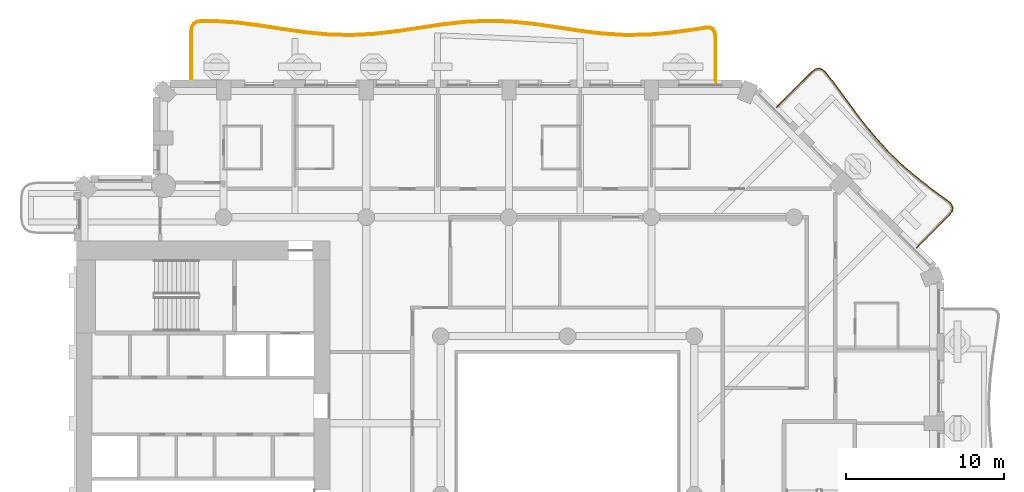
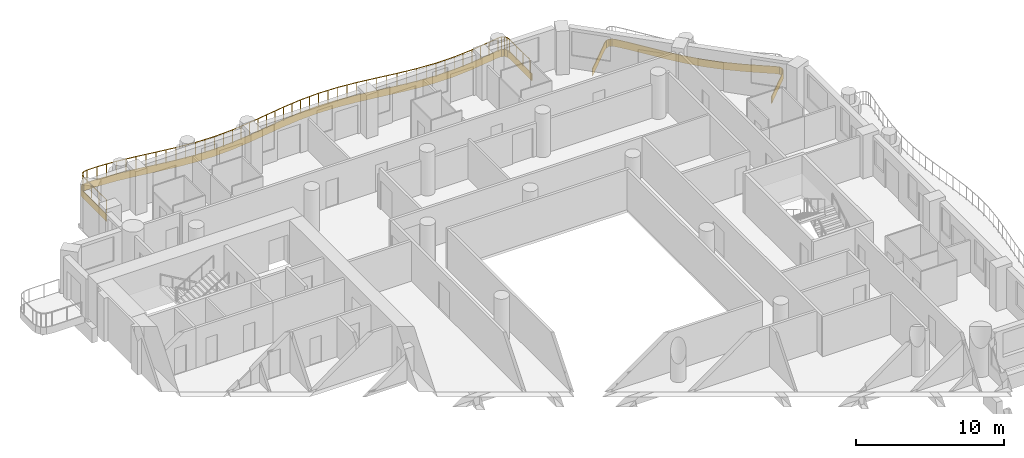
# One storey, part 18 of 20: 2 coverings, 1 railing.
"""IFC4 building model written with IfcOpenShell, lengths in metres."""

from ifc_helpers import new_model, si_unit, direction, frame, origin, origin_2d, place, context, subcontext, project, spatial, polyline, rectangle, outline, extrude, material, layer, layer_set, type_object, element, save


model = new_model("IFC4")

# Units and contexts
model_context = context("Model", 3, precision=1e-05, world=origin(), true_north=direction((0.0, 1.0)))
body_context = subcontext(model_context, "Body", "Model", "MODEL_VIEW")
ifc_project = project(units=[si_unit("LENGTHUNIT", "METRE"), si_unit("AREAUNIT", "SQUARE_METRE"), si_unit("VOLUMEUNIT", "CUBIC_METRE"), si_unit("PLANEANGLEUNIT", "RADIAN"), si_unit("MASSUNIT", "GRAM", prefix="KILO")], contexts=[model_context])

# Site, building, storey
site_placement = place(None, origin())
site = spatial("IfcSite", under=ifc_project, at=site_placement, CompositionType="ELEMENT")
building_placement = place(site_placement, origin())
building = spatial("IfcBuilding", under=site, at=building_placement, Name="Cypress Arch Tower", CompositionType="ELEMENT")
storey_placement = place(building_placement, frame((0.0, 0.0, 123.89990234375)))
storey = spatial("IfcBuildingStorey", under=building, at=storey_placement, Name="L26", CompositionType="ELEMENT", Elevation=123.89990234375)

# Coverings
ifc_material_1 = material(Name="White powder-coated aluminium fascia", Category="aluminium")
ifc_layer = layer(ifc_material_1, 0.050048828125)
ifc_layer_set = layer_set([ifc_layer], Name="Balcony fascia BF50")
covering_type = type_object("IfcCoveringType", Name="Balcony fascia BF50", PredefinedType="CLADDING", material=ifc_layer_set)
covering_1_placement = place(storey_placement, frame((0.0, 0.0, -0.599853515625)))
element("IfcCovering", 1, at=covering_1_placement, inside=storey, type_object=covering_type, Name="Balcony fascia L26-A07", PredefinedType="CLADDING", context=body_context, shape_type="SweptSolid", body=[
    extrude(outline(polyline([(16.41259765625, 26.701171875), (16.642578125, 26.873291015625), (16.87841796875, 26.9248046875), (17.106689453125, 26.845947265625), (17.315185546875, 26.64794921875), (17.79296875, 26.0419921875), (18.624755859375, 24.9130859375), (19.45654296875, 23.78662109375), (20.32275390625, 22.696533203125), (21.248779296875, 21.66796875), (22.247314453125, 20.7119140625), (23.313720703125, 19.822998046875), (24.428466796875, 18.98046875), (25.0537109375, 18.5234375), (25.25927734375, 18.322509765625), (25.343994140625, 18.098388671875), (25.294677734375, 17.864013671875), (25.12255859375, 17.6337890625), (23.045166015625, 15.556396484375), (23.009765625, 15.591796875), (25.084716796875, 17.666748046875), (25.248046875, 17.88525390625), (25.2919921875, 18.094482421875), (25.21630859375, 18.29443359375), (25.021484375, 18.485107421875), (24.398681640625, 18.940185546875), (23.28271484375, 19.78369140625), (22.2138671875, 20.674560546875), (21.212890625, 21.633056640625), (20.284423828125, 22.664306640625), (19.4169921875, 23.75634765625), (18.58447265625, 24.88330078125), (17.753173828125, 26.01171875), (17.278076171875, 26.6142578125), (17.080322265625, 26.80224609375), (16.87548828125, 26.873046875), (16.663818359375, 26.82666015625), (16.4453125, 26.663330078125), (14.191650390625, 24.40966796875), (14.15625, 24.445068359375), (16.41259765625, 26.701171875)])), origin(), (0.0, 0.0, 1.0), 0.599853515625),
])
covering_2_placement = place(storey_placement, frame((0.0, 0.0, -0.599853515625)))
element("IfcCovering", 2, at=covering_2_placement, inside=storey, type_object=covering_type, Name="Balcony fascia L26-A08", PredefinedType="CLADDING", context=body_context, shape_type="SweptSolid", body=[
    extrude(outline(polyline([(-22.800048828125, 29.236328125), (-22.757568359375, 29.533447265625), (-22.624755859375, 29.755859375), (-22.403076171875, 29.890380859375), (-22.106201171875, 29.934814453125), (-21.309326171875, 29.9404296875), (-19.866943359375, 29.841552734375), (-18.425537109375, 29.658203125), (-16.986083984375, 29.435791015625), (-15.54833984375, 29.2294921875), (-14.112060546875, 29.08984375), (-12.6767578125, 29.051513671875), (-11.240966796875, 29.12353515625), (-9.804443359375, 29.28857421875), (-8.3662109375, 29.505859375), (-6.926025390625, 29.721923828125), (-5.484375, 29.883056640625), (-4.041748046875, 29.949462890625), (-2.598876953125, 29.904541015625), (-1.156982421875, 29.759521484375), (0.283447265625, 29.55029296875), (1.72216796875, 29.328857421875), (3.158935546875, 29.149658203125), (4.5947265625, 29.05712890625), (6.0302734375, 29.07373046875), (7.46630859375, 29.1953125), (8.903564453125, 29.392333984375), (9.6982421875, 29.515869140625), (9.996337890625, 29.51904296875), (10.221923828125, 29.4169921875), (10.357421875, 29.209716796875), (10.39990234375, 28.914794921875), (10.39990234375, 26.0009765625), (10.35009765625, 26.0009765625), (10.35009765625, 28.9111328125), (10.3095703125, 29.19140625), (10.18798828125, 29.37744140625), (9.98583984375, 29.468994140625), (9.702392578125, 29.4658203125), (8.910888671875, 29.3427734375), (7.4716796875, 29.1455078125), (6.03271484375, 29.023681640625), (4.593505859375, 29.007080078125), (3.154296875, 29.099853515625), (1.71533203125, 29.279296875), (0.276123046875, 29.500732421875), (-1.1630859375, 29.709716796875), (-2.602294921875, 29.8544921875), (-4.041259765625, 29.8994140625), (-5.48046875, 29.833251953125), (-6.919677734375, 29.67236328125), (-8.358642578125, 29.45654296875), (-9.7978515625, 29.239013671875), (-11.237060546875, 29.07373046875), (-12.676025390625, 29.00146484375), (-14.115234375, 29.039794921875), (-15.554443359375, 29.1796875), (-16.993408203125, 29.386474609375), (-18.4326171875, 29.608642578125), (-19.871826171875, 29.791748046875), (-21.310791015625, 29.890625), (-22.102294921875, 29.885009765625), (-22.3857421875, 29.842529296875), (-22.588134765625, 29.719482421875), (-22.70947265625, 29.516357421875), (-22.75, 29.232666015625), (-22.75, 26.0009765625), (-22.800048828125, 26.0009765625), (-22.800048828125, 29.236328125)])), origin(), (0.0, 0.0, 1.0), 0.599853515625),
])

# Railing
ifc_material_2 = material(Name="Powder-coated steel posts and rods, 100 mm clear between rods", Category="steel")
railing_type = type_object("IfcRailingType", Name="Balcony guard GR1100", PredefinedType="GUARDRAIL", material=ifc_material_2)
railing_placement = place(storey_placement, frame((-22.699951171875, 26.14990234375, 0.0)))
element("IfcRailing", 3, at=railing_placement, inside=storey, type_object=railing_type, Name="Balcony guard L26-A08", PredefinedType="GUARDRAIL", context=body_context, shape_type="SweptSolid", body=[
    extrude(rectangle(XDim=0.050048828125, YDim=0.050048828125, at=origin_2d()), frame((0.0, 0.0, 1.0751953125), z_axis=(0.0, 1.0, 0.0), x_axis=(-1.0, 0.0, 0.0)), (0.0, 0.0, 1.0), 3.079345703125),
    extrude(rectangle(XDim=0.050048828125, YDim=0.050048828125, at=origin_2d()), frame((0.0, 3.079345703125, 1.0751953125), z_axis=(0.141421356237, 0.989949493661, 0.0), x_axis=(-0.989949493661, 0.141421356237, 0.0)), (0.0, 0.0, 1.0), 0.272705078125),
    extrude(rectangle(XDim=0.050048828125, YDim=0.050048828125, at=origin_2d()), frame((0.03857421875, 3.349365234375, 1.0751953125), z_axis=(0.512484598804, 0.858696416662, 0.0), x_axis=(-0.858696416662, 0.512484598804, 0.0)), (0.0, 0.0, 1.0), 0.21435546875),
    extrude(rectangle(XDim=0.050048828125, YDim=0.050048828125, at=origin_2d()), frame((0.1484375, 3.533447265625, 1.0751953125), z_axis=(0.854968071814, 0.518680630234, 0.0), x_axis=(-0.518680630234, 0.854968071814, 0.0)), (0.0, 0.0, 1.0), 0.214111328125),
    extrude(rectangle(XDim=0.050048828125, YDim=0.050048828125, at=origin_2d()), frame((0.33154296875, 3.64453125, 1.0751953125), z_axis=(0.988923231976, 0.148427899193, 0.0), x_axis=(-0.148427899193, 0.988923231976, 0.0)), (0.0, 0.0, 1.0), 0.27294921875),
    extrude(rectangle(XDim=0.050048828125, YDim=0.050048828125, at=origin_2d()), frame((0.6015625, 3.68505859375, 1.0751953125), z_axis=(0.999974474921, 0.007144893732, 0.0), x_axis=(-0.007144893732, 0.999974474921, 0.0)), (0.0, 0.0, 1.0), 0.785888671875),
    extrude(rectangle(XDim=0.050048828125, YDim=0.050048828125, at=origin_2d()), frame((1.387451171875, 3.690673828125, 1.0751953125), z_axis=(0.997660346701, -0.068365434402, 0.0), x_axis=(0.068365434402, 0.997660346701, 0.0)), (0.0, 0.0, 1.0), 1.439208984375),
    extrude(rectangle(XDim=0.050048828125, YDim=0.050048828125, at=origin_2d()), frame((2.8232421875, 3.59228515625, 1.0751953125), z_axis=(0.991979479968, -0.126399016306, 0.0), x_axis=(0.126399016306, 0.991979479968, 0.0)), (0.0, 0.0, 1.0), 1.44873046875),
    extrude(rectangle(XDim=0.050048828125, YDim=0.050048828125, at=origin_2d()), frame((4.26025390625, 3.4091796875, 1.0751953125), z_axis=(0.988290140398, -0.152586363719, 0.0), x_axis=(0.152586363719, 0.988290140398, 0.0)), (0.0, 0.0, 1.0), 1.4560546875),
    extrude(rectangle(XDim=0.050048828125, YDim=0.050048828125, at=origin_2d()), frame((5.69921875, 3.18701171875, 1.0751953125), z_axis=(0.989851951842, -0.14210247512, 0.0), x_axis=(0.14210247512, 0.989851951842, 0.0)), (0.0, 0.0, 1.0), 1.455078125),
    extrude(rectangle(XDim=0.050048828125, YDim=0.050048828125, at=origin_2d()), frame((7.1396484375, 2.980224609375, 1.0751953125), z_axis=(0.995310317262, -0.09673351204, 0.0), x_axis=(0.09673351204, 0.995310317262, 0.0)), (0.0, 0.0, 1.0), 1.44873046875),
    extrude(rectangle(XDim=0.050048828125, YDim=0.050048828125, at=origin_2d()), frame((8.58154296875, 2.840087890625, 1.0751953125), z_axis=(0.999642828752, -0.026724799821, 0.0), x_axis=(0.026724799821, 0.999642828752, 0.0)), (0.0, 0.0, 1.0), 1.443359375),
    extrude(rectangle(XDim=0.050048828125, YDim=0.050048828125, at=origin_2d()), frame((10.0244140625, 2.801513671875, 1.0751953125), z_axis=(0.998739238304, 0.050198942931, 0.0), x_axis=(-0.050198942931, 0.998739238304, 0.0)), (0.0, 0.0, 1.0), 1.4443359375),
    extrude(rectangle(XDim=0.050048828125, YDim=0.050048828125, at=origin_2d()), frame((11.467041015625, 2.8740234375, 1.0751953125), z_axis=(0.993472884655, 0.11406852088, 0.0), x_axis=(-0.11406852088, 0.993472884655, 0.0)), (0.0, 0.0, 1.0), 1.451171875),
    extrude(rectangle(XDim=0.050048828125, YDim=0.050048828125, at=origin_2d()), frame((12.90869140625, 3.03955078125, 1.0751953125), z_axis=(0.988780873342, 0.149373305891, 0.0), x_axis=(-0.149373305891, 0.988780873342, 0.0)), (0.0, 0.0, 1.0), 1.456298828125),
    extrude(rectangle(XDim=0.050048828125, YDim=0.050048828125, at=origin_2d()), frame((14.3486328125, 3.257080078125, 1.0751953125), z_axis=(0.988927731908, 0.148397914617, 0.0), x_axis=(-0.148397914617, 0.988927731908, 0.0)), (0.0, 0.0, 1.0), 1.454345703125),
    extrude(rectangle(XDim=0.050048828125, YDim=0.050048828125, at=origin_2d()), frame((15.786865234375, 3.472900390625, 1.0751953125), z_axis=(0.993805214489, 0.111135933231, 0.0), x_axis=(-0.111135933231, 0.993805214489, 0.0)), (0.0, 0.0, 1.0), 1.445556640625),
    extrude(rectangle(XDim=0.050048828125, YDim=0.050048828125, at=origin_2d()), frame((17.223388671875, 3.633544921875, 1.0751953125), z_axis=(0.998947416005, 0.045870034408, 0.0), x_axis=(-0.045870034408, 0.998947416005, 0.0)), (0.0, 0.0, 1.0), 1.43701171875),
    extrude(rectangle(XDim=0.050048828125, YDim=0.050048828125, at=origin_2d()), frame((18.658935546875, 3.699462890625, 1.0751953125), z_axis=(0.999516048126, -0.031107387212, 0.0), x_axis=(0.031107387212, 0.999516048126, 0.0)), (0.0, 0.0, 1.0), 1.436279296875),
    extrude(rectangle(XDim=0.050048828125, YDim=0.050048828125, at=origin_2d()), frame((20.094482421875, 3.65478515625, 1.0751953125), z_axis=(0.994975039844, -0.10012327445, 0.0), x_axis=(0.10012327445, 0.994975039844, 0.0)), (0.0, 0.0, 1.0), 1.443603515625),
    extrude(rectangle(XDim=0.050048828125, YDim=0.050048828125, at=origin_2d()), frame((21.53076171875, 3.51025390625, 1.0751953125), z_axis=(0.98962773674, -0.143655639204, 0.0), x_axis=(0.143655639204, 0.98962773674, 0.0)), (0.0, 0.0, 1.0), 1.453125),
    extrude(rectangle(XDim=0.050048828125, YDim=0.050048828125, at=origin_2d()), frame((22.96875, 3.301513671875, 1.0751953125), z_axis=(0.988348431017, -0.152208340462, 0.0), x_axis=(0.152208340462, 0.988348431017, 0.0)), (0.0, 0.0, 1.0), 1.45654296875),
    extrude(rectangle(XDim=0.050048828125, YDim=0.050048828125, at=origin_2d()), frame((24.408203125, 3.079833984375, 1.0751953125), z_axis=(0.992319194004, -0.123703747762, 0.0), x_axis=(0.123703747762, 0.992319194004, 0.0)), (0.0, 0.0, 1.0), 1.45263671875),
    extrude(rectangle(XDim=0.050048828125, YDim=0.050048828125, at=origin_2d()), frame((25.849609375, 2.900146484375, 1.0751953125), z_axis=(0.997927058974, -0.064355147168, 0.0), x_axis=(0.064355147168, 0.997927058974, 0.0)), (0.0, 0.0, 1.0), 1.4453125),
    extrude(rectangle(XDim=0.050048828125, YDim=0.050048828125, at=origin_2d()), frame((27.2919921875, 2.80712890625, 1.0751953125), z_axis=(0.999933813449, 0.011505160629, 0.0), x_axis=(-0.011505160629, 0.999933813449, 0.0)), (0.0, 0.0, 1.0), 1.44287109375),
    extrude(rectangle(XDim=0.050048828125, YDim=0.050048828125, at=origin_2d()), frame((28.73486328125, 2.82373046875, 1.0751953125), z_axis=(0.996423733448, 0.084497002447, 0.0), x_axis=(-0.084497002447, 0.996423733448, 0.0)), (0.0, 0.0, 1.0), 1.447509765625),
    extrude(rectangle(XDim=0.050048828125, YDim=0.050048828125, at=origin_2d()), frame((30.17724609375, 2.946044921875, 1.0751953125), z_axis=(0.990758523534, 0.135637561338, 0.0), x_axis=(-0.135637561338, 0.990758523534, 0.0)), (0.0, 0.0, 1.0), 1.454345703125),
    extrude(rectangle(XDim=0.050048828125, YDim=0.050048828125, at=origin_2d()), frame((31.6181640625, 3.143310546875, 1.0751953125), z_axis=(0.988129892174, 0.153620689338, 0.0), x_axis=(-0.153620689338, 0.988129892174, 0.0)), (0.0, 0.0, 1.0), 0.7978515625),
    extrude(rectangle(XDim=0.050048828125, YDim=0.050048828125, at=origin_2d()), frame((32.406494140625, 3.265869140625, 1.0751953125), z_axis=(0.999940501178, 0.010908441831, 0.0), x_axis=(-0.010908441831, 0.999940501178, 0.0)), (0.0, 0.0, 1.0), 0.2685546875),
    extrude(rectangle(XDim=0.050048828125, YDim=0.050048828125, at=origin_2d()), frame((32.675048828125, 3.268798828125, 1.0751953125), z_axis=(0.91159588286, -0.411087516658, 0.0), x_axis=(0.411087516658, 0.91159588286, 0.0)), (0.0, 0.0, 1.0), 0.196533203125),
    extrude(rectangle(XDim=0.050048828125, YDim=0.050048828125, at=origin_2d()), frame((32.854248046875, 3.18798828125, 1.0751953125), z_axis=(0.546646699619, -0.837363353507, 0.0), x_axis=(0.837363353507, 0.546646699619, 0.0)), (0.0, 0.0, 1.0), 0.196533203125),
    extrude(rectangle(XDim=0.050048828125, YDim=0.050048828125, at=origin_2d()), frame((32.961669921875, 3.0234375, 1.0751953125), z_axis=(0.142693667019, -0.989766900534, 0.0), x_axis=(0.989766900534, 0.142693667019, 0.0)), (0.0, 0.0, 1.0), 0.2685546875),
    extrude(rectangle(XDim=0.050048828125, YDim=0.050048828125, at=origin_2d()), frame((33.0, 2.757568359375, 1.0751953125), z_axis=(0.0, -1.0, 0.0), x_axis=(1.0, 0.0, 0.0)), (0.0, 0.0, 1.0), 2.757568359375),
    extrude(rectangle(XDim=0.0400390625, YDim=0.0400390625, at=origin_2d()), origin(), (0.0, 0.0, 1.0), 1.050048828125),
    extrude(rectangle(XDim=0.0400390625, YDim=0.0400390625, at=origin_2d()), frame((0.0, 1.0263671875, 0.0)), (0.0, 0.0, 1.0), 1.050048828125),
    extrude(rectangle(XDim=0.0400390625, YDim=0.0400390625, at=origin_2d()), frame((0.0, 2.052978515625, 0.0)), (0.0, 0.0, 1.0), 1.050048828125),
    extrude(rectangle(XDim=0.0400390625, YDim=0.0400390625, at=origin_2d()), frame((0.0, 3.079345703125, 0.0)), (0.0, 0.0, 1.0), 1.050048828125),
    extrude(rectangle(XDim=0.0400390625, YDim=0.0400390625, at=origin_2d()), frame((0.03857421875, 3.349365234375, 0.0)), (0.0, 0.0, 1.0), 1.050048828125),
    extrude(rectangle(XDim=0.0400390625, YDim=0.0400390625, at=origin_2d()), frame((0.1484375, 3.533447265625, 0.0)), (0.0, 0.0, 1.0), 1.050048828125),
    extrude(rectangle(XDim=0.0400390625, YDim=0.0400390625, at=origin_2d()), frame((0.33154296875, 3.64453125, 0.0)), (0.0, 0.0, 1.0), 1.050048828125),
    extrude(rectangle(XDim=0.0400390625, YDim=0.0400390625, at=origin_2d()), frame((0.6015625, 3.68505859375, 0.0)), (0.0, 0.0, 1.0), 1.050048828125),
    extrude(rectangle(XDim=0.0400390625, YDim=0.0400390625, at=origin_2d()), frame((1.387451171875, 3.690673828125, 0.0)), (0.0, 0.0, 1.0), 1.050048828125),
    extrude(rectangle(XDim=0.0400390625, YDim=0.0400390625, at=origin_2d()), frame((2.10546875, 3.6416015625, 0.0)), (0.0, 0.0, 1.0), 1.050048828125),
    extrude(rectangle(XDim=0.0400390625, YDim=0.0400390625, at=origin_2d()), frame((2.8232421875, 3.59228515625, 0.0)), (0.0, 0.0, 1.0), 1.050048828125),
    extrude(rectangle(XDim=0.0400390625, YDim=0.0400390625, at=origin_2d()), frame((3.541748046875, 3.500732421875, 0.0)), (0.0, 0.0, 1.0), 1.050048828125),
    extrude(rectangle(XDim=0.0400390625, YDim=0.0400390625, at=origin_2d()), frame((4.26025390625, 3.4091796875, 0.0)), (0.0, 0.0, 1.0), 1.050048828125),
    extrude(rectangle(XDim=0.0400390625, YDim=0.0400390625, at=origin_2d()), frame((4.979736328125, 3.298095703125, 0.0)), (0.0, 0.0, 1.0), 1.050048828125),
    extrude(rectangle(XDim=0.0400390625, YDim=0.0400390625, at=origin_2d()), frame((5.69921875, 3.18701171875, 0.0)), (0.0, 0.0, 1.0), 1.050048828125),
    extrude(rectangle(XDim=0.0400390625, YDim=0.0400390625, at=origin_2d()), frame((6.41943359375, 3.08349609375, 0.0)), (0.0, 0.0, 1.0), 1.050048828125),
    extrude(rectangle(XDim=0.0400390625, YDim=0.0400390625, at=origin_2d()), frame((7.1396484375, 2.980224609375, 0.0)), (0.0, 0.0, 1.0), 1.050048828125),
    extrude(rectangle(XDim=0.0400390625, YDim=0.0400390625, at=origin_2d()), frame((7.860595703125, 2.91015625, 0.0)), (0.0, 0.0, 1.0), 1.050048828125),
    extrude(rectangle(XDim=0.0400390625, YDim=0.0400390625, at=origin_2d()), frame((8.58154296875, 2.840087890625, 0.0)), (0.0, 0.0, 1.0), 1.050048828125),
    extrude(rectangle(XDim=0.0400390625, YDim=0.0400390625, at=origin_2d()), frame((9.302978515625, 2.82080078125, 0.0)), (0.0, 0.0, 1.0), 1.050048828125),
    extrude(rectangle(XDim=0.0400390625, YDim=0.0400390625, at=origin_2d()), frame((10.0244140625, 2.801513671875, 0.0)), (0.0, 0.0, 1.0), 1.050048828125),
    extrude(rectangle(XDim=0.0400390625, YDim=0.0400390625, at=origin_2d()), frame((10.74560546875, 2.837890625, 0.0)), (0.0, 0.0, 1.0), 1.050048828125),
    extrude(rectangle(XDim=0.0400390625, YDim=0.0400390625, at=origin_2d()), frame((11.467041015625, 2.8740234375, 0.0)), (0.0, 0.0, 1.0), 1.050048828125),
    extrude(rectangle(XDim=0.0400390625, YDim=0.0400390625, at=origin_2d()), frame((12.18798828125, 2.956787109375, 0.0)), (0.0, 0.0, 1.0), 1.050048828125),
    extrude(rectangle(XDim=0.0400390625, YDim=0.0400390625, at=origin_2d()), frame((12.90869140625, 3.03955078125, 0.0)), (0.0, 0.0, 1.0), 1.050048828125),
    extrude(rectangle(XDim=0.0400390625, YDim=0.0400390625, at=origin_2d()), frame((13.628662109375, 3.1484375, 0.0)), (0.0, 0.0, 1.0), 1.050048828125),
    extrude(rectangle(XDim=0.0400390625, YDim=0.0400390625, at=origin_2d()), frame((14.3486328125, 3.257080078125, 0.0)), (0.0, 0.0, 1.0), 1.050048828125),
    extrude(rectangle(XDim=0.0400390625, YDim=0.0400390625, at=origin_2d()), frame((15.06787109375, 3.364990234375, 0.0)), (0.0, 0.0, 1.0), 1.050048828125),
    extrude(rectangle(XDim=0.0400390625, YDim=0.0400390625, at=origin_2d()), frame((15.786865234375, 3.472900390625, 0.0)), (0.0, 0.0, 1.0), 1.050048828125),
    extrude(rectangle(XDim=0.0400390625, YDim=0.0400390625, at=origin_2d()), frame((16.505126953125, 3.55322265625, 0.0)), (0.0, 0.0, 1.0), 1.050048828125),
    extrude(rectangle(XDim=0.0400390625, YDim=0.0400390625, at=origin_2d()), frame((17.223388671875, 3.633544921875, 0.0)), (0.0, 0.0, 1.0), 1.050048828125),
    extrude(rectangle(XDim=0.0400390625, YDim=0.0400390625, at=origin_2d()), frame((17.941162109375, 3.66650390625, 0.0)), (0.0, 0.0, 1.0), 1.050048828125),
    extrude(rectangle(XDim=0.0400390625, YDim=0.0400390625, at=origin_2d()), frame((18.658935546875, 3.699462890625, 0.0)), (0.0, 0.0, 1.0), 1.050048828125),
    extrude(rectangle(XDim=0.0400390625, YDim=0.0400390625, at=origin_2d()), frame((19.376708984375, 3.67724609375, 0.0)), (0.0, 0.0, 1.0), 1.050048828125),
    extrude(rectangle(XDim=0.0400390625, YDim=0.0400390625, at=origin_2d()), frame((20.094482421875, 3.65478515625, 0.0)), (0.0, 0.0, 1.0), 1.050048828125),
    extrude(rectangle(XDim=0.0400390625, YDim=0.0400390625, at=origin_2d()), frame((20.8125, 3.58251953125, 0.0)), (0.0, 0.0, 1.0), 1.050048828125),
    extrude(rectangle(XDim=0.0400390625, YDim=0.0400390625, at=origin_2d()), frame((21.53076171875, 3.51025390625, 0.0)), (0.0, 0.0, 1.0), 1.050048828125),
    extrude(rectangle(XDim=0.0400390625, YDim=0.0400390625, at=origin_2d()), frame((22.249755859375, 3.40576171875, 0.0)), (0.0, 0.0, 1.0), 1.050048828125),
    extrude(rectangle(XDim=0.0400390625, YDim=0.0400390625, at=origin_2d()), frame((22.96875, 3.301513671875, 0.0)), (0.0, 0.0, 1.0), 1.050048828125),
    extrude(rectangle(XDim=0.0400390625, YDim=0.0400390625, at=origin_2d()), frame((23.6884765625, 3.190673828125, 0.0)), (0.0, 0.0, 1.0), 1.050048828125),
    extrude(rectangle(XDim=0.0400390625, YDim=0.0400390625, at=origin_2d()), frame((24.408203125, 3.079833984375, 0.0)), (0.0, 0.0, 1.0), 1.050048828125),
    extrude(rectangle(XDim=0.0400390625, YDim=0.0400390625, at=origin_2d()), frame((25.12890625, 2.989990234375, 0.0)), (0.0, 0.0, 1.0), 1.050048828125),
    extrude(rectangle(XDim=0.0400390625, YDim=0.0400390625, at=origin_2d()), frame((25.849609375, 2.900146484375, 0.0)), (0.0, 0.0, 1.0), 1.050048828125),
    extrude(rectangle(XDim=0.0400390625, YDim=0.0400390625, at=origin_2d()), frame((26.57080078125, 2.853515625, 0.0)), (0.0, 0.0, 1.0), 1.050048828125),
    extrude(rectangle(XDim=0.0400390625, YDim=0.0400390625, at=origin_2d()), frame((27.2919921875, 2.80712890625, 0.0)), (0.0, 0.0, 1.0), 1.050048828125),
    extrude(rectangle(XDim=0.0400390625, YDim=0.0400390625, at=origin_2d()), frame((28.013427734375, 2.8154296875, 0.0)), (0.0, 0.0, 1.0), 1.050048828125),
    extrude(rectangle(XDim=0.0400390625, YDim=0.0400390625, at=origin_2d()), frame((28.73486328125, 2.82373046875, 0.0)), (0.0, 0.0, 1.0), 1.050048828125),
    extrude(rectangle(XDim=0.0400390625, YDim=0.0400390625, at=origin_2d()), frame((29.4560546875, 2.884765625, 0.0)), (0.0, 0.0, 1.0), 1.050048828125),
    extrude(rectangle(XDim=0.0400390625, YDim=0.0400390625, at=origin_2d()), frame((30.17724609375, 2.946044921875, 0.0)), (0.0, 0.0, 1.0), 1.050048828125),
    extrude(rectangle(XDim=0.0400390625, YDim=0.0400390625, at=origin_2d()), frame((30.897705078125, 3.044677734375, 0.0)), (0.0, 0.0, 1.0), 1.050048828125),
    extrude(rectangle(XDim=0.0400390625, YDim=0.0400390625, at=origin_2d()), frame((31.6181640625, 3.143310546875, 0.0)), (0.0, 0.0, 1.0), 1.050048828125),
    extrude(rectangle(XDim=0.0400390625, YDim=0.0400390625, at=origin_2d()), frame((32.406494140625, 3.265869140625, 0.0)), (0.0, 0.0, 1.0), 1.050048828125),
    extrude(rectangle(XDim=0.0400390625, YDim=0.0400390625, at=origin_2d()), frame((32.675048828125, 3.268798828125, 0.0)), (0.0, 0.0, 1.0), 1.050048828125),
    extrude(rectangle(XDim=0.0400390625, YDim=0.0400390625, at=origin_2d()), frame((32.854248046875, 3.18798828125, 0.0)), (0.0, 0.0, 1.0), 1.050048828125),
    extrude(rectangle(XDim=0.0400390625, YDim=0.0400390625, at=origin_2d()), frame((32.961669921875, 3.0234375, 0.0)), (0.0, 0.0, 1.0), 1.050048828125),
    extrude(rectangle(XDim=0.0400390625, YDim=0.0400390625, at=origin_2d()), frame((33.0, 2.757568359375, 0.0)), (0.0, 0.0, 1.0), 1.050048828125),
    extrude(rectangle(XDim=0.0400390625, YDim=0.0400390625, at=origin_2d()), frame((33.0, 1.83837890625, 0.0)), (0.0, 0.0, 1.0), 1.050048828125),
    extrude(rectangle(XDim=0.0400390625, YDim=0.0400390625, at=origin_2d()), frame((33.0, 0.919189453125, 0.0)), (0.0, 0.0, 1.0), 1.050048828125),
    extrude(rectangle(XDim=0.0400390625, YDim=0.0400390625, at=origin_2d()), frame((33.0, 0.0, 0.0)), (0.0, 0.0, 1.0), 1.050048828125),
])

save(model, "model.ifc")
